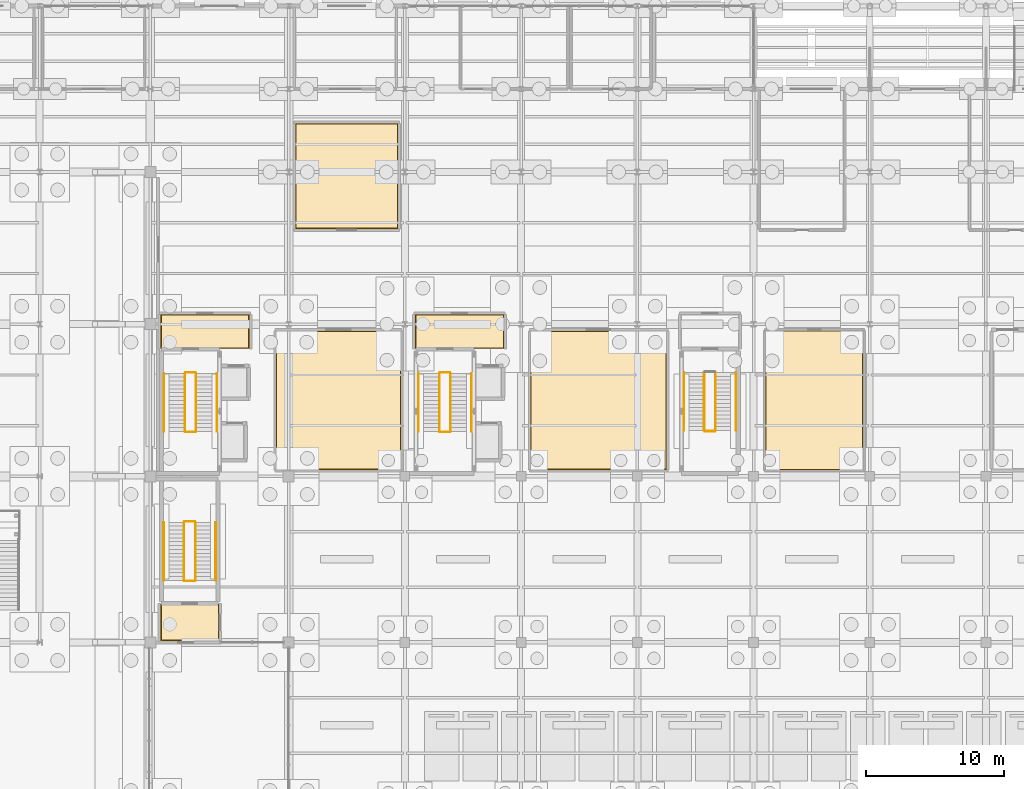
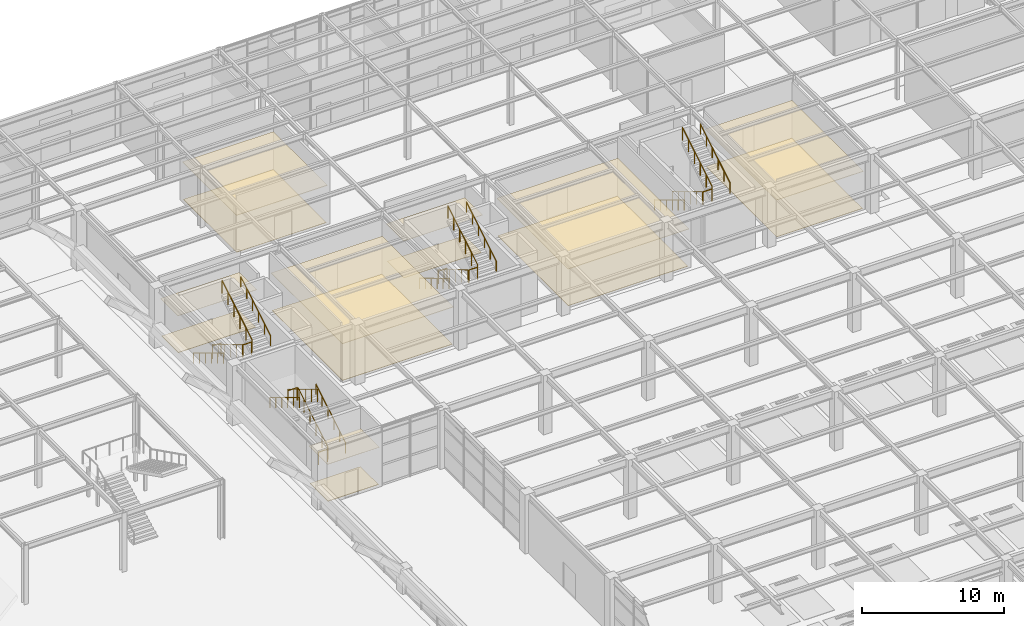
# One storey, part 124 of 129: 23 railings, 14 coverings.
"""IFC4 building model written with IfcOpenShell, lengths in metres."""

from ifc_helpers import new_model, si_unit, direction, frame, origin, origin_2d, place, context, subcontext, project, spatial, polyline, circle, outline, extrude, material, layer, layer_set, type_object, element, save


model = new_model("IFC4")

# Units and contexts
model_context = context("Model", 3, precision=1e-05, world=origin(), true_north=direction((0.0, 1.0)))
body_context = subcontext(model_context, "Body", "Model", "MODEL_VIEW")
ifc_project = project(units=[si_unit("LENGTHUNIT", "METRE"), si_unit("AREAUNIT", "SQUARE_METRE"), si_unit("VOLUMEUNIT", "CUBIC_METRE"), si_unit("PLANEANGLEUNIT", "RADIAN"), si_unit("MASSUNIT", "GRAM", prefix="KILO")], contexts=[model_context])

# Site, building, storey
site_placement = place(None, origin())
site = spatial("IfcSite", under=ifc_project, at=site_placement, CompositionType="ELEMENT")
building_placement = place(site_placement, origin())
building = spatial("IfcBuilding", under=site, at=building_placement, Name="Sitalva Quay Ferry Terminal", CompositionType="ELEMENT")
storey_placement = place(building_placement, origin())
storey = spatial("IfcBuildingStorey", under=building, at=storey_placement, Name="L01", CompositionType="ELEMENT", Elevation=0.0)

# Coverings
ifc_material_1 = material(Name="Perforated Marine Aluminium Acoustic Ceiling", Category="aluminium")
ifc_layer_1 = layer(ifc_material_1, 0.0400390625)
ifc_layer_set_1 = layer_set([ifc_layer_1], Name="Perforated Marine Aluminium Acoustic Ceiling")
covering_type_1 = type_object("IfcCoveringType", Name="Ceiling_AcousticBaffle_40", PredefinedType="CEILING", material=ifc_layer_set_1)
covering_1_placement = place(storey_placement, frame((0.0, 0.0, 3.2099609375)))
element("IfcCovering", 1, at=covering_1_placement, inside=storey, type_object=covering_type_1, Name="Maritime Bookshop & Travel Pharmacy ceiling", PredefinedType="CEILING", context=body_context, shape_type="SweptSolid", body=[
    extrude(outline(polyline([(83.074951171875, 78.47509765625), (92.125, 78.47509765625), (92.125, 88.52490234375), (83.074951171875, 88.52490234375), (83.074951171875, 78.47509765625)])), origin(), (0.0, 0.0, 1.0), 0.0400390625),
])
covering_2_placement = place(storey_placement, frame((0.0, 0.0, 3.2099609375)))
element("IfcCovering", 2, at=covering_2_placement, inside=storey, type_object=covering_type_1, Name="Quayside Tea House & Bakery ceiling", PredefinedType="CEILING", context=body_context, shape_type="SweptSolid", body=[
    extrude(outline(polyline([(101.47509765625, 78.47509765625), (111.324951171875, 78.47509765625), (111.324951171875, 88.52490234375), (101.47509765625, 88.52490234375), (101.47509765625, 78.47509765625)])), origin(), (0.0, 0.0, 1.0), 0.0400390625),
])
covering_3_placement = place(storey_placement, frame((0.0, 0.0, 3.2099609375)))
element("IfcCovering", 3, at=covering_3_placement, inside=storey, type_object=covering_type_1, Name="Catering Prep Kitchen & Cold Store ceiling", PredefinedType="CEILING", context=body_context, shape_type="SweptSolid", body=[
    extrude(outline(polyline([(84.489990234375, 95.889892578125), (91.909912109375, 95.889892578125), (91.909912109375, 103.510009765625), (84.489990234375, 103.510009765625), (84.489990234375, 95.889892578125)])), origin(), (0.0, 0.0, 1.0), 0.0400390625),
])
covering_4_placement = place(storey_placement, frame((0.0, 0.0, 3.2099609375)))
element("IfcCovering", 4, at=covering_4_placement, inside=storey, type_object=covering_type_1, Name="Covered Cycle Hub & Crew Lockers ceiling", PredefinedType="CEILING", context=body_context, shape_type="SweptSolid", body=[
    extrude(outline(polyline([(118.45751953125, 78.45751953125), (125.54248046875, 78.45751953125), (125.54248046875, 88.54248046875), (118.45751953125, 88.54248046875), (118.45751953125, 78.45751953125)])), origin(), (0.0, 0.0, 1.0), 0.0400390625),
])
ifc_material_2 = material(Name="Moisture-Resistant Acoustic Gypsum Ceiling", Category="gypsum")
ifc_layer_2 = layer(ifc_material_2, 0.02490234375)
ifc_layer_set_2 = layer_set([ifc_layer_2], Name="Moisture-Resistant Acoustic Gypsum Ceiling")
covering_type_2 = type_object("IfcCoveringType", Name="Ceiling_GypsumMoisture_25", PredefinedType="CEILING", material=ifc_layer_set_2)
covering_5_placement = place(storey_placement, frame((0.0, 0.0, 3.22509765625)))
element("IfcCovering", 5, at=covering_5_placement, inside=storey, type_object=covering_type_2, Name="Firefighting & Lift Lobby C1 ceiling", PredefinedType="CEILING", context=body_context, shape_type="SweptSolid", body=[
    extrude(outline(polyline([(74.739990234375, 87.239990234375), (81.159912109375, 87.239990234375), (81.159912109375, 89.7099609375), (74.739990234375, 89.7099609375), (74.739990234375, 87.239990234375)])), origin(), (0.0, 0.0, 1.0), 0.02490234375),
])
covering_6_placement = place(storey_placement, frame((0.0, 0.0, 3.22509765625)))
element("IfcCovering", 6, at=covering_6_placement, inside=storey, type_object=covering_type_2, Name="Firefighting & Lift Lobby C2 ceiling", PredefinedType="CEILING", context=body_context, shape_type="SweptSolid", body=[
    extrude(outline(polyline([(93.139892578125, 87.239990234375), (99.56005859375, 87.239990234375), (99.56005859375, 89.7099609375), (93.139892578125, 89.7099609375), (93.139892578125, 87.239990234375)])), origin(), (0.0, 0.0, 1.0), 0.02490234375),
])
covering_7_placement = place(storey_placement, frame((0.0, 0.0, 3.22509765625)))
element("IfcCovering", 7, at=covering_7_placement, inside=storey, type_object=covering_type_2, Name="Firefighting & Lift Lobby C11 ceiling", PredefinedType="CEILING", context=body_context, shape_type="SweptSolid", body=[
    extrude(outline(polyline([(74.739990234375, 66.1201171875), (78.9599609375, 66.1201171875), (78.9599609375, 68.760009765625), (74.739990234375, 68.760009765625), (74.739990234375, 66.1201171875)])), origin(), (0.0, 0.0, 1.0), 0.02490234375),
])
ifc_material_3 = material(Name="Anti-Slip Porcelain Tile", Category="ceramic")
ifc_layer_3 = layer(ifc_material_3, 0.02001953125)
ifc_layer_set_3 = layer_set([ifc_layer_3], Name="Anti-Slip Porcelain Tile")
covering_type_3 = type_object("IfcCoveringType", Name="Finish_CeramicWet_20", PredefinedType="FLOORING", material=ifc_layer_set_3)
covering_8_placement = place(storey_placement, origin())
element("IfcCovering", 8, at=covering_8_placement, inside=storey, type_object=covering_type_3, Name="Catering Prep Kitchen & Cold Store floor finish", PredefinedType="FLOORING", context=body_context, shape_type="SweptSolid", body=[
    extrude(outline(polyline([(84.5400390625, 95.93994140625), (91.860107421875, 95.93994140625), (91.860107421875, 103.4599609375), (84.5400390625, 103.4599609375), (84.5400390625, 95.93994140625)])), origin(), (0.0, 0.0, 1.0), 0.02001953125),
])
ifc_material_4 = material(Name="Flamed Non-Slip Granite Paving", Category="masonry")
ifc_layer_4 = layer(ifc_material_4, 0.034912109375)
ifc_layer_set_4 = layer_set([ifc_layer_4], Name="Flamed Non-Slip Granite Paving")
covering_type_4 = type_object("IfcCoveringType", Name="Finish_Granite_35", PredefinedType="FLOORING", material=ifc_layer_set_4)
covering_9_placement = place(storey_placement, origin())
element("IfcCovering", 9, at=covering_9_placement, inside=storey, type_object=covering_type_4, Name="Firefighting & Lift Lobby C1 floor finish", PredefinedType="FLOORING", context=body_context, shape_type="SweptSolid", body=[
    extrude(outline(polyline([(74.7900390625, 87.2900390625), (81.110107421875, 87.2900390625), (81.110107421875, 89.659912109375), (74.7900390625, 89.659912109375), (74.7900390625, 87.2900390625)])), origin(), (0.0, 0.0, 1.0), 0.034912109375),
])
covering_10_placement = place(storey_placement, origin())
element("IfcCovering", 10, at=covering_10_placement, inside=storey, type_object=covering_type_4, Name="Firefighting & Lift Lobby C2 floor finish", PredefinedType="FLOORING", context=body_context, shape_type="SweptSolid", body=[
    extrude(outline(polyline([(93.18994140625, 87.2900390625), (99.510009765625, 87.2900390625), (99.510009765625, 89.659912109375), (93.18994140625, 89.659912109375), (93.18994140625, 87.2900390625)])), origin(), (0.0, 0.0, 1.0), 0.034912109375),
])
covering_11_placement = place(storey_placement, origin())
element("IfcCovering", 11, at=covering_11_placement, inside=storey, type_object=covering_type_4, Name="Firefighting & Lift Lobby C11 floor finish", PredefinedType="FLOORING", context=body_context, shape_type="SweptSolid", body=[
    extrude(outline(polyline([(74.7900390625, 66.169921875), (78.909912109375, 66.169921875), (78.909912109375, 68.7099609375), (74.7900390625, 68.7099609375), (74.7900390625, 66.169921875)])), origin(), (0.0, 0.0, 1.0), 0.034912109375),
])
ifc_material_5 = material(Name="Polished River-Stone Terrazzo", Category="masonry")
ifc_layer_5 = layer(ifc_material_5, 0.030029296875)
ifc_layer_set_5 = layer_set([ifc_layer_5], Name="Polished River-Stone Terrazzo")
covering_type_5 = type_object("IfcCoveringType", Name="Finish_Terrazzo_30", PredefinedType="FLOORING", material=ifc_layer_set_5)
covering_12_placement = place(storey_placement, origin())
element("IfcCovering", 12, at=covering_12_placement, inside=storey, type_object=covering_type_5, Name="Maritime Bookshop & Travel Pharmacy floor finish", PredefinedType="FLOORING", context=body_context, shape_type="SweptSolid", body=[
    extrude(outline(polyline([(83.125, 78.52490234375), (92.074951171875, 78.52490234375), (92.074951171875, 88.47509765625), (83.125, 88.47509765625), (83.125, 78.52490234375)])), origin(), (0.0, 0.0, 1.0), 0.030029296875),
])
covering_13_placement = place(storey_placement, origin())
element("IfcCovering", 13, at=covering_13_placement, inside=storey, type_object=covering_type_5, Name="Quayside Tea House & Bakery floor finish", PredefinedType="FLOORING", context=body_context, shape_type="SweptSolid", body=[
    extrude(outline(polyline([(101.52490234375, 78.52490234375), (111.27490234375, 78.52490234375), (111.27490234375, 88.47509765625), (101.52490234375, 88.47509765625), (101.52490234375, 78.52490234375)])), origin(), (0.0, 0.0, 1.0), 0.030029296875),
])
covering_14_placement = place(storey_placement, origin())
element("IfcCovering", 14, at=covering_14_placement, inside=storey, type_object=covering_type_5, Name="Covered Cycle Hub & Crew Lockers floor finish", PredefinedType="FLOORING", context=body_context, shape_type="SweptSolid", body=[
    extrude(outline(polyline([(118.507568359375, 78.507568359375), (125.492431640625, 78.507568359375), (125.492431640625, 88.492431640625), (118.507568359375, 88.492431640625), (118.507568359375, 78.507568359375)])), origin(), (0.0, 0.0, 1.0), 0.030029296875),
])

# Railings
ifc_material_6 = material(Name="Galvanised Steel S275JR", Category="steel")
railing_type_1 = type_object("IfcRailingType", Name="Railing_Guard_1100", PredefinedType="GUARDRAIL", material=ifc_material_6)
railing_1_placement = place(storey_placement, frame((76.5, 85.449951171875, 0.168701171875)))
element("IfcRailing", 15, at=railing_1_placement, inside=storey, type_object=railing_type_1, Name="L01 ST-01 stair guard 1", PredefinedType="GUARDRAIL", context=body_context, shape_type="SweptSolid", body=[
    extrude(circle(Radius=0.02392578125, at=origin_2d()), frame((0.0, 0.0, 1.076171875), z_axis=(0.0, -0.856476492594, 0.516186030065), x_axis=(1.0, 0.0, 0.0)), (0.0, 0.0, 1.0), 4.90380859375),
    extrude(circle(Radius=0.02099609375, at=origin_2d()), origin(), (0.0, 0.0, 1.0), 1.052001953125),
    extrude(circle(Radius=0.02099609375, at=origin_2d()), frame((0.0, -0.840087890625, 0.50634765625)), (0.0, 0.0, 1.0), 1.052001953125),
    extrude(circle(Radius=0.02099609375, at=origin_2d()), frame((0.0, -1.679931640625, 1.012451171875)), (0.0, 0.0, 1.0), 1.052001953125),
    extrude(circle(Radius=0.02099609375, at=origin_2d()), frame((0.0, -2.52001953125, 1.518798828125)), (0.0, 0.0, 1.0), 1.052001953125),
    extrude(circle(Radius=0.02099609375, at=origin_2d()), frame((0.0, -3.35986328125, 2.02490234375)), (0.0, 0.0, 1.0), 1.052001953125),
    extrude(circle(Radius=0.02099609375, at=origin_2d()), frame((0.0, -4.199951171875, 2.53125)), (0.0, 0.0, 1.0), 1.052001953125),
])
railing_2_placement = place(storey_placement, frame((76.550048828125, 81.199951171875, 2.699951171875)))
element("IfcRailing", 16, at=railing_2_placement, inside=storey, type_object=railing_type_1, Name="L01 ST-01 stair guard 2", PredefinedType="GUARDRAIL", context=body_context, shape_type="SweptSolid", body=[
    extrude(circle(Radius=0.02392578125, at=origin_2d()), frame((0.0, 0.0, 1.076171875), z_axis=(1.0, 0.0, 0.0), x_axis=(0.0, 1.0, 0.0)), (0.0, 0.0, 1.0), 0.699951171875),
    extrude(circle(Radius=0.02099609375, at=origin_2d()), origin(), (0.0, 0.0, 1.0), 1.052001953125),
    extrude(circle(Radius=0.02099609375, at=origin_2d()), frame((0.699951171875, 0.0, 0.0)), (0.0, 0.0, 1.0), 1.052001953125),
])
railing_3_placement = place(storey_placement, frame((77.300048828125, 81.25, 2.86865234375)))
element("IfcRailing", 17, at=railing_3_placement, inside=storey, type_object=railing_type_1, Name="L01 ST-01 stair guard 3", PredefinedType="GUARDRAIL", context=body_context, shape_type="SweptSolid", body=[
    extrude(circle(Radius=0.02392578125, at=origin_2d()), frame((0.0, 0.0, 1.076171875), z_axis=(0.0, 0.856476492594, 0.516186030065), x_axis=(-1.0, 0.0, 0.0)), (0.0, 0.0, 1.0), 4.90380859375),
    extrude(circle(Radius=0.02099609375, at=origin_2d()), origin(), (0.0, 0.0, 1.0), 1.052001953125),
    extrude(circle(Radius=0.02099609375, at=origin_2d()), frame((0.0, 0.840087890625, 0.50634765625)), (0.0, 0.0, 1.0), 1.052001953125),
    extrude(circle(Radius=0.02099609375, at=origin_2d()), frame((0.0, 1.679931640625, 1.012451171875)), (0.0, 0.0, 1.0), 1.052001953125),
    extrude(circle(Radius=0.02099609375, at=origin_2d()), frame((0.0, 2.52001953125, 1.518798828125)), (0.0, 0.0, 1.0), 1.052001953125),
    extrude(circle(Radius=0.02099609375, at=origin_2d()), frame((0.0, 3.35986328125, 2.02490234375)), (0.0, 0.0, 1.0), 1.052001953125),
    extrude(circle(Radius=0.02099609375, at=origin_2d()), frame((0.0, 4.199951171875, 2.53125)), (0.0, 0.0, 1.0), 1.052001953125),
])
railing_4_placement = place(storey_placement, frame((76.550048828125, 85.5, 0.0)))
element("IfcRailing", 18, at=railing_4_placement, inside=storey, type_object=railing_type_1, Name="L01 ST-01 stair guard 4", PredefinedType="GUARDRAIL", context=body_context, shape_type="SweptSolid", body=[
    extrude(circle(Radius=0.02392578125, at=origin_2d()), frame((0.0, 0.0, 1.076171875), z_axis=(1.0, 0.0, 0.0), x_axis=(0.0, 1.0, 0.0)), (0.0, 0.0, 1.0), 0.699951171875),
    extrude(circle(Radius=0.02099609375, at=origin_2d()), origin(), (0.0, 0.0, 1.0), 1.052001953125),
    extrude(circle(Radius=0.02099609375, at=origin_2d()), frame((0.699951171875, 0.0, 0.0)), (0.0, 0.0, 1.0), 1.052001953125),
])
railing_5_placement = place(storey_placement, frame((94.89990234375, 85.449951171875, 0.168701171875)))
element("IfcRailing", 19, at=railing_5_placement, inside=storey, type_object=railing_type_1, Name="L01 ST-02 stair guard 1", PredefinedType="GUARDRAIL", context=body_context, shape_type="SweptSolid", body=[
    extrude(circle(Radius=0.02392578125, at=origin_2d()), frame((0.0, 0.0, 1.076171875), z_axis=(0.0, -0.856476492594, 0.516186030065), x_axis=(1.0, 0.0, 0.0)), (0.0, 0.0, 1.0), 4.90380859375),
    extrude(circle(Radius=0.02099609375, at=origin_2d()), origin(), (0.0, 0.0, 1.0), 1.052001953125),
    extrude(circle(Radius=0.02099609375, at=origin_2d()), frame((0.0, -0.840087890625, 0.50634765625)), (0.0, 0.0, 1.0), 1.052001953125),
    extrude(circle(Radius=0.02099609375, at=origin_2d()), frame((0.0, -1.679931640625, 1.012451171875)), (0.0, 0.0, 1.0), 1.052001953125),
    extrude(circle(Radius=0.02099609375, at=origin_2d()), frame((0.0, -2.52001953125, 1.518798828125)), (0.0, 0.0, 1.0), 1.052001953125),
    extrude(circle(Radius=0.02099609375, at=origin_2d()), frame((0.0, -3.35986328125, 2.02490234375)), (0.0, 0.0, 1.0), 1.052001953125),
    extrude(circle(Radius=0.02099609375, at=origin_2d()), frame((0.0, -4.199951171875, 2.53125)), (0.0, 0.0, 1.0), 1.052001953125),
])
railing_6_placement = place(storey_placement, frame((94.949951171875, 81.199951171875, 2.699951171875)))
element("IfcRailing", 20, at=railing_6_placement, inside=storey, type_object=railing_type_1, Name="L01 ST-02 stair guard 2", PredefinedType="GUARDRAIL", context=body_context, shape_type="SweptSolid", body=[
    extrude(circle(Radius=0.02392578125, at=origin_2d()), frame((0.0, 0.0, 1.076171875), z_axis=(1.0, 0.0, 0.0), x_axis=(0.0, 1.0, 0.0)), (0.0, 0.0, 1.0), 0.699951171875),
    extrude(circle(Radius=0.02099609375, at=origin_2d()), origin(), (0.0, 0.0, 1.0), 1.052001953125),
    extrude(circle(Radius=0.02099609375, at=origin_2d()), frame((0.699951171875, 0.0, 0.0)), (0.0, 0.0, 1.0), 1.052001953125),
])
railing_7_placement = place(storey_placement, frame((95.699951171875, 81.25, 2.86865234375)))
element("IfcRailing", 21, at=railing_7_placement, inside=storey, type_object=railing_type_1, Name="L01 ST-02 stair guard 3", PredefinedType="GUARDRAIL", context=body_context, shape_type="SweptSolid", body=[
    extrude(circle(Radius=0.02392578125, at=origin_2d()), frame((0.0, 0.0, 1.076171875), z_axis=(0.0, 0.856476492594, 0.516186030065), x_axis=(-1.0, 0.0, 0.0)), (0.0, 0.0, 1.0), 4.90380859375),
    extrude(circle(Radius=0.02099609375, at=origin_2d()), origin(), (0.0, 0.0, 1.0), 1.052001953125),
    extrude(circle(Radius=0.02099609375, at=origin_2d()), frame((0.0, 0.840087890625, 0.50634765625)), (0.0, 0.0, 1.0), 1.052001953125),
    extrude(circle(Radius=0.02099609375, at=origin_2d()), frame((0.0, 1.679931640625, 1.012451171875)), (0.0, 0.0, 1.0), 1.052001953125),
    extrude(circle(Radius=0.02099609375, at=origin_2d()), frame((0.0, 2.52001953125, 1.518798828125)), (0.0, 0.0, 1.0), 1.052001953125),
    extrude(circle(Radius=0.02099609375, at=origin_2d()), frame((0.0, 3.35986328125, 2.02490234375)), (0.0, 0.0, 1.0), 1.052001953125),
    extrude(circle(Radius=0.02099609375, at=origin_2d()), frame((0.0, 4.199951171875, 2.53125)), (0.0, 0.0, 1.0), 1.052001953125),
])
railing_8_placement = place(storey_placement, frame((94.949951171875, 85.5, 0.0)))
element("IfcRailing", 22, at=railing_8_placement, inside=storey, type_object=railing_type_1, Name="L01 ST-02 stair guard 4", PredefinedType="GUARDRAIL", context=body_context, shape_type="SweptSolid", body=[
    extrude(circle(Radius=0.02392578125, at=origin_2d()), frame((0.0, 0.0, 1.076171875), z_axis=(1.0, 0.0, 0.0), x_axis=(0.0, 1.0, 0.0)), (0.0, 0.0, 1.0), 0.699951171875),
    extrude(circle(Radius=0.02099609375, at=origin_2d()), origin(), (0.0, 0.0, 1.0), 1.052001953125),
    extrude(circle(Radius=0.02099609375, at=origin_2d()), frame((0.699951171875, 0.0, 0.0)), (0.0, 0.0, 1.0), 1.052001953125),
])
railing_9_placement = place(storey_placement, frame((114.0400390625, 85.510009765625, 0.168701171875)))
element("IfcRailing", 23, at=railing_9_placement, inside=storey, type_object=railing_type_1, Name="L01 ST-04 stair guard 1", PredefinedType="GUARDRAIL", context=body_context, shape_type="SweptSolid", body=[
    extrude(circle(Radius=0.02392578125, at=origin_2d()), frame((0.0, 0.0, 1.076171875), z_axis=(0.0, -0.856476492594, 0.516186030065), x_axis=(1.0, 0.0, 0.0)), (0.0, 0.0, 1.0), 4.90380859375),
    extrude(circle(Radius=0.02099609375, at=origin_2d()), origin(), (0.0, 0.0, 1.0), 1.052001953125),
    extrude(circle(Radius=0.02099609375, at=origin_2d()), frame((0.0, -0.840087890625, 0.50634765625)), (0.0, 0.0, 1.0), 1.052001953125),
    extrude(circle(Radius=0.02099609375, at=origin_2d()), frame((0.0, -1.679931640625, 1.012451171875)), (0.0, 0.0, 1.0), 1.052001953125),
    extrude(circle(Radius=0.02099609375, at=origin_2d()), frame((0.0, -2.52001953125, 1.518798828125)), (0.0, 0.0, 1.0), 1.052001953125),
    extrude(circle(Radius=0.02099609375, at=origin_2d()), frame((0.0, -3.35986328125, 2.02490234375)), (0.0, 0.0, 1.0), 1.052001953125),
    extrude(circle(Radius=0.02099609375, at=origin_2d()), frame((0.0, -4.199951171875, 2.53125)), (0.0, 0.0, 1.0), 1.052001953125),
])
railing_10_placement = place(storey_placement, frame((114.090087890625, 81.260009765625, 2.699951171875)))
element("IfcRailing", 24, at=railing_10_placement, inside=storey, type_object=railing_type_1, Name="L01 ST-04 stair guard 2", PredefinedType="GUARDRAIL", context=body_context, shape_type="SweptSolid", body=[
    extrude(circle(Radius=0.02392578125, at=origin_2d()), frame((0.0, 0.0, 1.076171875), z_axis=(1.0, 0.0, 0.0), x_axis=(0.0, 1.0, 0.0)), (0.0, 0.0, 1.0), 0.719970703125),
    extrude(circle(Radius=0.02099609375, at=origin_2d()), origin(), (0.0, 0.0, 1.0), 1.052001953125),
    extrude(circle(Radius=0.02099609375, at=origin_2d()), frame((0.719970703125, 0.0, 0.0)), (0.0, 0.0, 1.0), 1.052001953125),
])
for number, where, name in (
    (25, (114.860107421875, 81.31005859375, 2.86865234375), "L01 ST-04 stair guard 3"),
    (26, (77.27001953125, 70.47998046875, 0.168701171875), "L01 ST-13 stair guard 1"),
):
    element("IfcRailing", number, at=place(storey_placement, frame(where)), inside=storey, type_object=railing_type_1, Name=name, PredefinedType="GUARDRAIL", context=body_context, shape_type="SweptSolid", body=[
        extrude(circle(Radius=0.02392578125, at=origin_2d()), frame((0.0, 0.0, 1.076171875), z_axis=(0.0, 0.856476492594, 0.516186030065), x_axis=(-1.0, 0.0, 0.0)), (0.0, 0.0, 1.0), 4.90380859375),
        extrude(circle(Radius=0.02099609375, at=origin_2d()), origin(), (0.0, 0.0, 1.0), 1.052001953125),
        extrude(circle(Radius=0.02099609375, at=origin_2d()), frame((0.0, 0.840087890625, 0.50634765625)), (0.0, 0.0, 1.0), 1.052001953125),
        extrude(circle(Radius=0.02099609375, at=origin_2d()), frame((0.0, 1.679931640625, 1.012451171875)), (0.0, 0.0, 1.0), 1.052001953125),
        extrude(circle(Radius=0.02099609375, at=origin_2d()), frame((0.0, 2.52001953125, 1.518798828125)), (0.0, 0.0, 1.0), 1.052001953125),
        extrude(circle(Radius=0.02099609375, at=origin_2d()), frame((0.0, 3.35986328125, 2.02490234375)), (0.0, 0.0, 1.0), 1.052001953125),
        extrude(circle(Radius=0.02099609375, at=origin_2d()), frame((0.0, 4.199951171875, 2.53125)), (0.0, 0.0, 1.0), 1.052001953125),
    ])
railing_11_placement = place(storey_placement, frame((77.219970703125, 74.72998046875, 2.699951171875)))
element("IfcRailing", 27, at=railing_11_placement, inside=storey, type_object=railing_type_1, Name="L01 ST-13 stair guard 2", PredefinedType="GUARDRAIL", context=body_context, shape_type="SweptSolid", body=[
    extrude(circle(Radius=0.02392578125, at=origin_2d()), frame((0.0, 0.0, 1.076171875), z_axis=(-1.0, 0.0, 0.0), x_axis=(0.0, -1.0, 0.0)), (0.0, 0.0, 1.0), 0.739990234375),
    extrude(circle(Radius=0.02099609375, at=origin_2d()), origin(), (0.0, 0.0, 1.0), 1.052001953125),
    extrude(circle(Radius=0.02099609375, at=origin_2d()), frame((-0.739990234375, 0.0, 0.0)), (0.0, 0.0, 1.0), 1.052001953125),
])
railing_12_placement = place(storey_placement, frame((76.429931640625, 74.679931640625, 2.86865234375)))
element("IfcRailing", 28, at=railing_12_placement, inside=storey, type_object=railing_type_1, Name="L01 ST-13 stair guard 3", PredefinedType="GUARDRAIL", context=body_context, shape_type="SweptSolid", body=[
    extrude(circle(Radius=0.02392578125, at=origin_2d()), frame((0.0, 0.0, 1.076171875), z_axis=(0.0, -0.856476492594, 0.516186030065), x_axis=(1.0, 0.0, 0.0)), (0.0, 0.0, 1.0), 4.90380859375),
    extrude(circle(Radius=0.02099609375, at=origin_2d()), origin(), (0.0, 0.0, 1.0), 1.052001953125),
    extrude(circle(Radius=0.02099609375, at=origin_2d()), frame((0.0, -0.840087890625, 0.50634765625)), (0.0, 0.0, 1.0), 1.052001953125),
    extrude(circle(Radius=0.02099609375, at=origin_2d()), frame((0.0, -1.679931640625, 1.012451171875)), (0.0, 0.0, 1.0), 1.052001953125),
    extrude(circle(Radius=0.02099609375, at=origin_2d()), frame((0.0, -2.52001953125, 1.518798828125)), (0.0, 0.0, 1.0), 1.052001953125),
    extrude(circle(Radius=0.02099609375, at=origin_2d()), frame((0.0, -3.35986328125, 2.02490234375)), (0.0, 0.0, 1.0), 1.052001953125),
    extrude(circle(Radius=0.02099609375, at=origin_2d()), frame((0.0, -4.199951171875, 2.53125)), (0.0, 0.0, 1.0), 1.052001953125),
])
railing_13_placement = place(storey_placement, frame((77.219970703125, 70.429931640625, 0.0)))
element("IfcRailing", 29, at=railing_13_placement, inside=storey, type_object=railing_type_1, Name="L01 ST-13 stair guard 4", PredefinedType="GUARDRAIL", context=body_context, shape_type="SweptSolid", body=[
    extrude(circle(Radius=0.02392578125, at=origin_2d()), frame((0.0, 0.0, 1.076171875), z_axis=(-1.0, 0.0, 0.0), x_axis=(0.0, -1.0, 0.0)), (0.0, 0.0, 1.0), 0.739990234375),
    extrude(circle(Radius=0.02099609375, at=origin_2d()), origin(), (0.0, 0.0, 1.0), 1.052001953125),
    extrude(circle(Radius=0.02099609375, at=origin_2d()), frame((-0.739990234375, 0.0, 0.0)), (0.0, 0.0, 1.0), 1.052001953125),
])
ifc_material_7 = material(Name="Stainless Steel 316L", Category="steel")
railing_type_2 = type_object("IfcRailingType", Name="Railing_Handrail_900", PredefinedType="HANDRAIL", material=ifc_material_7)
railing_14_placement = place(storey_placement, frame((74.97998046875, 85.449951171875, 0.168701171875)))
element("IfcRailing", 30, at=railing_14_placement, inside=storey, type_object=railing_type_2, Name="L01 ST-01 stair handrail 1", PredefinedType="HANDRAIL", context=body_context, shape_type="SweptSolid", body=[
    extrude(circle(Radius=0.02392578125, at=origin_2d()), frame((0.0, 0.0, 0.8759765625), z_axis=(0.0, -0.856476492594, 0.516186030065), x_axis=(1.0, 0.0, 0.0)), (0.0, 0.0, 1.0), 4.90380859375),
    extrude(circle(Radius=0.02099609375, at=origin_2d()), origin(), (0.0, 0.0, 1.0), 0.851806640625),
    extrude(circle(Radius=0.02099609375, at=origin_2d()), frame((0.0, -0.840087890625, 0.50634765625)), (0.0, 0.0, 1.0), 0.851806640625),
    extrude(circle(Radius=0.02099609375, at=origin_2d()), frame((0.0, -1.679931640625, 1.012451171875)), (0.0, 0.0, 1.0), 0.851806640625),
    extrude(circle(Radius=0.02099609375, at=origin_2d()), frame((0.0, -2.52001953125, 1.518798828125)), (0.0, 0.0, 1.0), 0.851806640625),
    extrude(circle(Radius=0.02099609375, at=origin_2d()), frame((0.0, -3.35986328125, 2.02490234375)), (0.0, 0.0, 1.0), 0.851806640625),
    extrude(circle(Radius=0.02099609375, at=origin_2d()), frame((0.0, -4.199951171875, 2.53125)), (0.0, 0.0, 1.0), 0.851806640625),
])
railing_15_placement = place(storey_placement, frame((78.820068359375, 81.25, 2.86865234375)))
element("IfcRailing", 31, at=railing_15_placement, inside=storey, type_object=railing_type_2, Name="L01 ST-01 stair handrail 2", PredefinedType="HANDRAIL", context=body_context, shape_type="SweptSolid", body=[
    extrude(circle(Radius=0.02392578125, at=origin_2d()), frame((0.0, 0.0, 0.8759765625), z_axis=(0.0, 0.856476492594, 0.516186030065), x_axis=(-1.0, 0.0, 0.0)), (0.0, 0.0, 1.0), 4.90380859375),
    extrude(circle(Radius=0.02099609375, at=origin_2d()), origin(), (0.0, 0.0, 1.0), 0.851806640625),
    extrude(circle(Radius=0.02099609375, at=origin_2d()), frame((0.0, 0.840087890625, 0.50634765625)), (0.0, 0.0, 1.0), 0.851806640625),
    extrude(circle(Radius=0.02099609375, at=origin_2d()), frame((0.0, 1.679931640625, 1.012451171875)), (0.0, 0.0, 1.0), 0.851806640625),
    extrude(circle(Radius=0.02099609375, at=origin_2d()), frame((0.0, 2.52001953125, 1.518798828125)), (0.0, 0.0, 1.0), 0.851806640625),
    extrude(circle(Radius=0.02099609375, at=origin_2d()), frame((0.0, 3.35986328125, 2.02490234375)), (0.0, 0.0, 1.0), 0.851806640625),
    extrude(circle(Radius=0.02099609375, at=origin_2d()), frame((0.0, 4.199951171875, 2.53125)), (0.0, 0.0, 1.0), 0.851806640625),
])
railing_16_placement = place(storey_placement, frame((93.3798828125, 85.449951171875, 0.168701171875)))
element("IfcRailing", 32, at=railing_16_placement, inside=storey, type_object=railing_type_2, Name="L01 ST-02 stair handrail 1", PredefinedType="HANDRAIL", context=body_context, shape_type="SweptSolid", body=[
    extrude(circle(Radius=0.02392578125, at=origin_2d()), frame((0.0, 0.0, 0.8759765625), z_axis=(0.0, -0.856476492594, 0.516186030065), x_axis=(1.0, 0.0, 0.0)), (0.0, 0.0, 1.0), 4.90380859375),
    extrude(circle(Radius=0.02099609375, at=origin_2d()), origin(), (0.0, 0.0, 1.0), 0.851806640625),
    extrude(circle(Radius=0.02099609375, at=origin_2d()), frame((0.0, -0.840087890625, 0.50634765625)), (0.0, 0.0, 1.0), 0.851806640625),
    extrude(circle(Radius=0.02099609375, at=origin_2d()), frame((0.0, -1.679931640625, 1.012451171875)), (0.0, 0.0, 1.0), 0.851806640625),
    extrude(circle(Radius=0.02099609375, at=origin_2d()), frame((0.0, -2.52001953125, 1.518798828125)), (0.0, 0.0, 1.0), 0.851806640625),
    extrude(circle(Radius=0.02099609375, at=origin_2d()), frame((0.0, -3.35986328125, 2.02490234375)), (0.0, 0.0, 1.0), 0.851806640625),
    extrude(circle(Radius=0.02099609375, at=origin_2d()), frame((0.0, -4.199951171875, 2.53125)), (0.0, 0.0, 1.0), 0.851806640625),
])
railing_17_placement = place(storey_placement, frame((97.219970703125, 81.25, 2.86865234375)))
element("IfcRailing", 33, at=railing_17_placement, inside=storey, type_object=railing_type_2, Name="L01 ST-02 stair handrail 2", PredefinedType="HANDRAIL", context=body_context, shape_type="SweptSolid", body=[
    extrude(circle(Radius=0.02392578125, at=origin_2d()), frame((0.0, 0.0, 0.8759765625), z_axis=(0.0, 0.856476492594, 0.516186030065), x_axis=(-1.0, 0.0, 0.0)), (0.0, 0.0, 1.0), 4.90380859375),
    extrude(circle(Radius=0.02099609375, at=origin_2d()), origin(), (0.0, 0.0, 1.0), 0.851806640625),
    extrude(circle(Radius=0.02099609375, at=origin_2d()), frame((0.0, 0.840087890625, 0.50634765625)), (0.0, 0.0, 1.0), 0.851806640625),
    extrude(circle(Radius=0.02099609375, at=origin_2d()), frame((0.0, 1.679931640625, 1.012451171875)), (0.0, 0.0, 1.0), 0.851806640625),
    extrude(circle(Radius=0.02099609375, at=origin_2d()), frame((0.0, 2.52001953125, 1.518798828125)), (0.0, 0.0, 1.0), 0.851806640625),
    extrude(circle(Radius=0.02099609375, at=origin_2d()), frame((0.0, 3.35986328125, 2.02490234375)), (0.0, 0.0, 1.0), 0.851806640625),
    extrude(circle(Radius=0.02099609375, at=origin_2d()), frame((0.0, 4.199951171875, 2.53125)), (0.0, 0.0, 1.0), 0.851806640625),
])
railing_18_placement = place(storey_placement, frame((112.580078125, 85.510009765625, 0.168701171875)))
element("IfcRailing", 34, at=railing_18_placement, inside=storey, type_object=railing_type_2, Name="L01 ST-04 stair handrail 1", PredefinedType="HANDRAIL", context=body_context, shape_type="SweptSolid", body=[
    extrude(circle(Radius=0.02392578125, at=origin_2d()), frame((0.0, 0.0, 0.8759765625), z_axis=(0.0, -0.856476492594, 0.516186030065), x_axis=(1.0, 0.0, 0.0)), (0.0, 0.0, 1.0), 4.90380859375),
    extrude(circle(Radius=0.02099609375, at=origin_2d()), origin(), (0.0, 0.0, 1.0), 0.851806640625),
    extrude(circle(Radius=0.02099609375, at=origin_2d()), frame((0.0, -0.840087890625, 0.50634765625)), (0.0, 0.0, 1.0), 0.851806640625),
    extrude(circle(Radius=0.02099609375, at=origin_2d()), frame((0.0, -1.679931640625, 1.012451171875)), (0.0, 0.0, 1.0), 0.851806640625),
    extrude(circle(Radius=0.02099609375, at=origin_2d()), frame((0.0, -2.52001953125, 1.518798828125)), (0.0, 0.0, 1.0), 0.851806640625),
    extrude(circle(Radius=0.02099609375, at=origin_2d()), frame((0.0, -3.35986328125, 2.02490234375)), (0.0, 0.0, 1.0), 0.851806640625),
    extrude(circle(Radius=0.02099609375, at=origin_2d()), frame((0.0, -4.199951171875, 2.53125)), (0.0, 0.0, 1.0), 0.851806640625),
])
for number, where, name in (
    (35, (116.320068359375, 81.31005859375, 2.86865234375), "L01 ST-04 stair handrail 2"),
    (36, (78.72998046875, 70.47998046875, 0.168701171875), "L01 ST-13 stair handrail 1"),
):
    element("IfcRailing", number, at=place(storey_placement, frame(where)), inside=storey, type_object=railing_type_2, Name=name, PredefinedType="HANDRAIL", context=body_context, shape_type="SweptSolid", body=[
        extrude(circle(Radius=0.02392578125, at=origin_2d()), frame((0.0, 0.0, 0.8759765625), z_axis=(0.0, 0.856476492594, 0.516186030065), x_axis=(-1.0, 0.0, 0.0)), (0.0, 0.0, 1.0), 4.90380859375),
        extrude(circle(Radius=0.02099609375, at=origin_2d()), origin(), (0.0, 0.0, 1.0), 0.851806640625),
        extrude(circle(Radius=0.02099609375, at=origin_2d()), frame((0.0, 0.840087890625, 0.50634765625)), (0.0, 0.0, 1.0), 0.851806640625),
        extrude(circle(Radius=0.02099609375, at=origin_2d()), frame((0.0, 1.679931640625, 1.012451171875)), (0.0, 0.0, 1.0), 0.851806640625),
        extrude(circle(Radius=0.02099609375, at=origin_2d()), frame((0.0, 2.52001953125, 1.518798828125)), (0.0, 0.0, 1.0), 0.851806640625),
        extrude(circle(Radius=0.02099609375, at=origin_2d()), frame((0.0, 3.35986328125, 2.02490234375)), (0.0, 0.0, 1.0), 0.851806640625),
        extrude(circle(Radius=0.02099609375, at=origin_2d()), frame((0.0, 4.199951171875, 2.53125)), (0.0, 0.0, 1.0), 0.851806640625),
    ])
railing_19_placement = place(storey_placement, frame((74.969970703125, 74.679931640625, 2.86865234375)))
element("IfcRailing", 37, at=railing_19_placement, inside=storey, type_object=railing_type_2, Name="L01 ST-13 stair handrail 2", PredefinedType="HANDRAIL", context=body_context, shape_type="SweptSolid", body=[
    extrude(circle(Radius=0.02392578125, at=origin_2d()), frame((0.0, 0.0, 0.8759765625), z_axis=(0.0, -0.856476492594, 0.516186030065), x_axis=(1.0, 0.0, 0.0)), (0.0, 0.0, 1.0), 4.90380859375),
    extrude(circle(Radius=0.02099609375, at=origin_2d()), origin(), (0.0, 0.0, 1.0), 0.851806640625),
    extrude(circle(Radius=0.02099609375, at=origin_2d()), frame((0.0, -0.840087890625, 0.50634765625)), (0.0, 0.0, 1.0), 0.851806640625),
    extrude(circle(Radius=0.02099609375, at=origin_2d()), frame((0.0, -1.679931640625, 1.012451171875)), (0.0, 0.0, 1.0), 0.851806640625),
    extrude(circle(Radius=0.02099609375, at=origin_2d()), frame((0.0, -2.52001953125, 1.518798828125)), (0.0, 0.0, 1.0), 0.851806640625),
    extrude(circle(Radius=0.02099609375, at=origin_2d()), frame((0.0, -3.35986328125, 2.02490234375)), (0.0, 0.0, 1.0), 0.851806640625),
    extrude(circle(Radius=0.02099609375, at=origin_2d()), frame((0.0, -4.199951171875, 2.53125)), (0.0, 0.0, 1.0), 0.851806640625),
])

save(model, "model.ifc")
